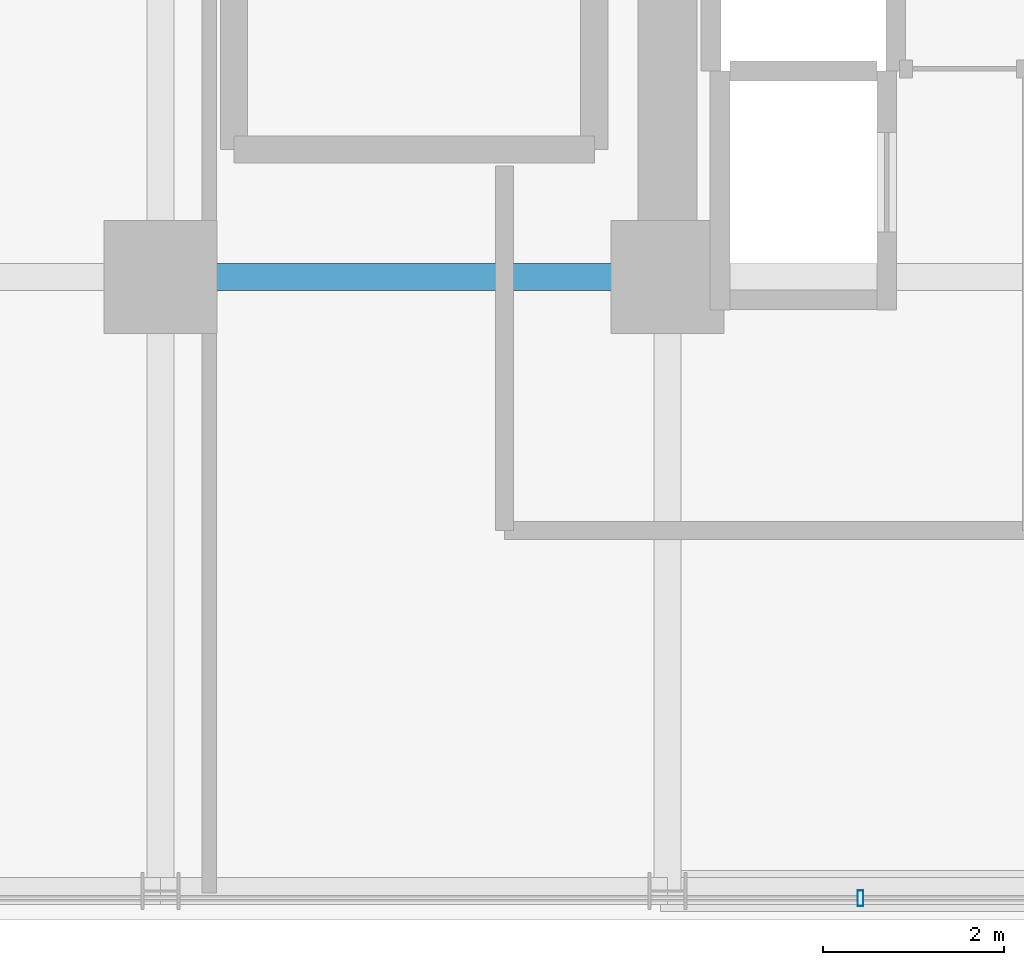
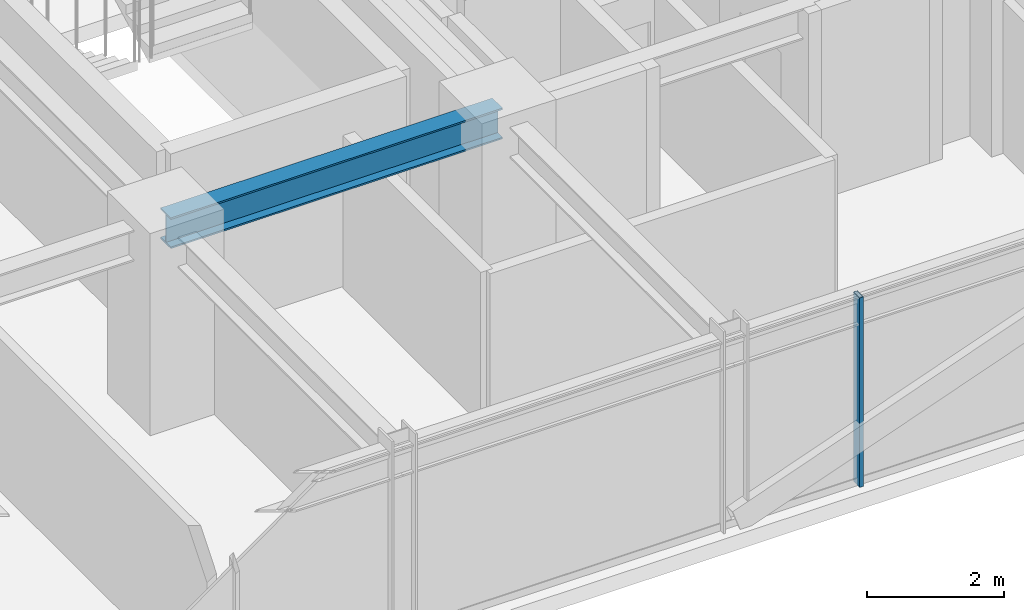
# One storey, part 10 of 35: 1 beam, 1 member, 1 element without a shape of its own.
"""IFC4 building model written with IfcOpenShell, lengths in metres."""

from ifc_helpers import new_model, si_unit, direction, frame, origin, origin_2d, place, context, subcontext, project, spatial, hollow_rectangle, i_section, extrude, source, transform, mapped, material, material_profile, profile_set, type_object, element, aggregate, save


model = new_model("IFC4")

# Units and contexts
model_context = context("Model", 3, precision=1e-05, world=origin(), true_north=direction((0.0, 1.0)))
body_context = subcontext(model_context, "Body", "Model", "MODEL_VIEW")
ifc_project = project(units=[si_unit("LENGTHUNIT", "METRE"), si_unit("AREAUNIT", "SQUARE_METRE"), si_unit("VOLUMEUNIT", "CUBIC_METRE"), si_unit("PLANEANGLEUNIT", "RADIAN"), si_unit("MASSUNIT", "GRAM", prefix="KILO")], contexts=[model_context])

# Site, building, storey
site_placement = place(None, origin())
site = spatial("IfcSite", under=ifc_project, at=site_placement, CompositionType="ELEMENT")
building_placement = place(site_placement, origin())
building = spatial("IfcBuilding", under=site, at=building_placement, Name="Nahalor Promenade Grand Hotel", CompositionType="ELEMENT")
storey_placement = place(building_placement, frame((0.0, 0.0, 106.550048828125)))
storey = spatial("IfcBuildingStorey", under=building, at=storey_placement, Name="L26", CompositionType="ELEMENT", Elevation=106.550048828125)

# Beam
ifc_material_1 = material(Name="Steel S355JR", Category="steel")
ifc_material_profile_1 = material_profile(ifc_material_1, i_section(OverallWidth=0.3, OverallDepth=0.55, WebThickness=0.015, FlangeThickness=0.029, at=origin_2d()), Name="HEB 550")
ifc_profile_set_1 = profile_set([ifc_material_profile_1], Name="Steel S355JR")
beam_type = type_object("IfcBeamType", Name="Beam-Girder-HEB550", PredefinedType="BEAM", material=ifc_profile_set_1)
shared_shape_1 = source(origin(), body_context, "Body", "SweptSolid", [
    extrude(i_section(OverallWidth=0.3, OverallDepth=0.55, WebThickness=0.015, FlangeThickness=0.029, at=origin_2d()), origin(), (0.0, 0.0, 1.0), 5.599853515625),
])
beam_placement = place(storey_placement, frame((2.800048828125, -17.0, 3.10498046875), z_axis=(1.0, 0.0, 0.0), x_axis=(0.0, 1.0, 0.0)))
element("IfcBeam", 1, at=beam_placement, inside=storey, type_object=beam_type, Name="BM-L26-GX-0-4", PredefinedType="BEAM", context=body_context, shape_type="MappedRepresentation", body=[
    mapped(shared_shape_1, transform((0.0, 0.0, 0.0), scale=1.0)),
])

# Curtain wall, member
ifc_material_2 = material(Name="Anodised Bronze Aluminium EN AW-6063 T6", Category="aluminium")
curtain_wall_type = type_object("IfcCurtainWallType", Name="CW2 Typical Hotel Flush Bronze Unitised Curtain Wall", PredefinedType="USERDEFINED", material=ifc_material_2)
curtain_wall_placement = place(storey_placement, origin())
curtain_wall = element("IfcCurtainWall", 2, at=curtain_wall_placement, inside=storey, type_object=curtain_wall_type, Name="L26 Curtain Wall CW-L26-S-1", ObjectType="UNITISED_CURTAIN_WALL", PredefinedType="USERDEFINED")
ifc_material_profile_2 = material_profile(ifc_material_2, hollow_rectangle(XDim=0.065, YDim=0.18, WallThickness=0.004, at=origin_2d()), Name="CWM 65x180x4")
ifc_profile_set_2 = profile_set([ifc_material_profile_2], Name="Anodised Bronze Aluminium EN AW-6063 T6")
member_type = type_object("IfcMemberType", Name="CWM2 Typical Bronze Mullion 65x180", PredefinedType="MULLION", material=ifc_profile_set_2)
shared_shape_2 = source(origin(), body_context, "Body", "SweptSolid", [
    extrude(hollow_rectangle(XDim=0.065, YDim=0.18, WallThickness=0.004, at=origin_2d()), origin(), (0.0, 0.0, 1.0), 3.3798828125),
])
member_placement = place(storey_placement, frame((10.530029296875, -23.860107421875, 0.0), z_axis=(0.0, 0.0, 1.0), x_axis=(1.0, 0.0, 0.0)))
member = element("IfcMember", 3, at=member_placement, type_object=member_type, Name="CW-L26-S-1 Mullion 3", PredefinedType="MULLION", context=body_context, shape_type="MappedRepresentation", body=[
    mapped(shared_shape_2, transform((0.0, 0.0, 0.0), scale=1.0)),
])
aggregate(curtain_wall, [member])

save(model, "model.ifc")
